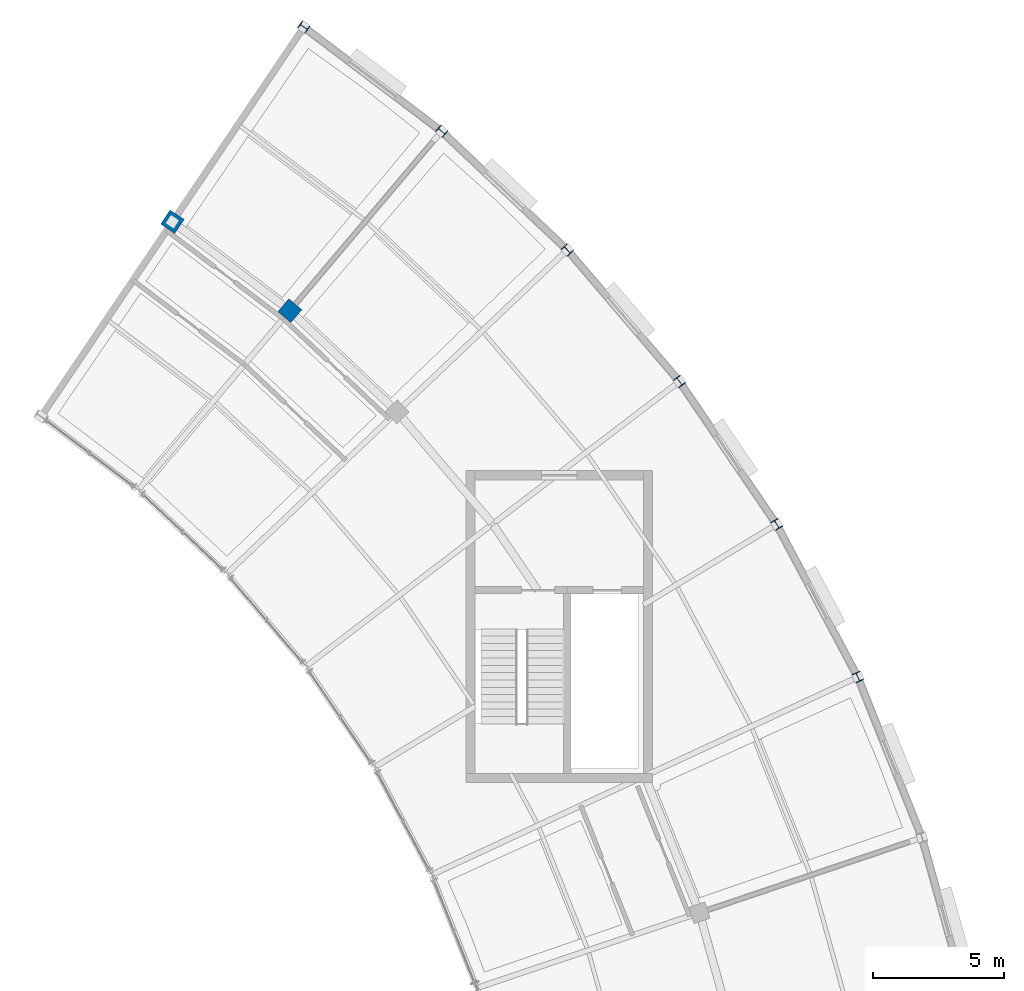
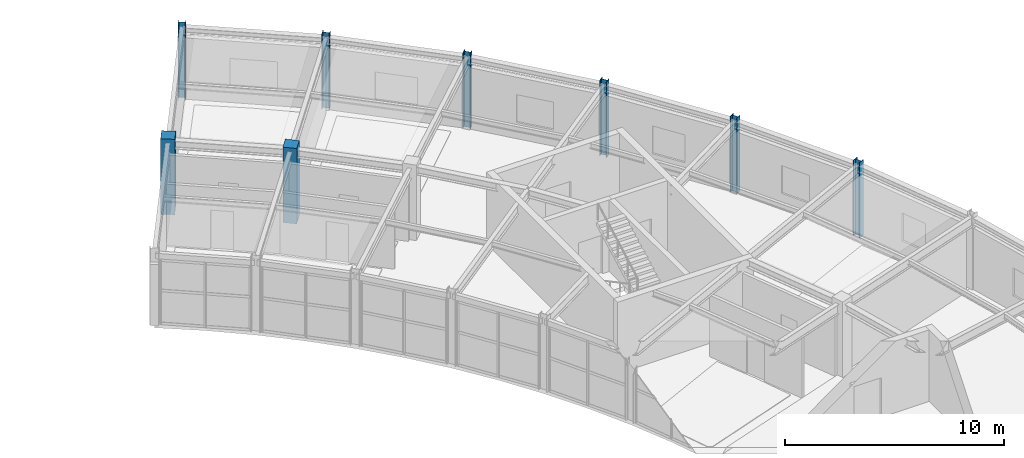
# One storey, part 4 of 29: 8 columns.
"""IFC4 building model written with IfcOpenShell, lengths in metres."""

from ifc_helpers import new_model, si_unit, direction, frame, origin, origin_2d, place, context, subcontext, project, spatial, rectangle, i_section, extrude, material, material_profile, profile_set, type_object, element, save


model = new_model("IFC4")

# Units and contexts
model_context = context("Model", 3, precision=1e-05, world=origin(), true_north=direction((0.0, 1.0)))
body_context = subcontext(model_context, "Body", "Model", "MODEL_VIEW")
ifc_project = project(units=[si_unit("LENGTHUNIT", "METRE"), si_unit("AREAUNIT", "SQUARE_METRE"), si_unit("VOLUMEUNIT", "CUBIC_METRE"), si_unit("PLANEANGLEUNIT", "RADIAN"), si_unit("MASSUNIT", "GRAM", prefix="KILO")], contexts=[model_context])

# Site, building, storey
site_placement = place(None, origin())
site = spatial("IfcSite", under=ifc_project, at=site_placement, CompositionType="ELEMENT")
building_placement = place(site_placement, origin())
building = spatial("IfcBuilding", under=site, at=building_placement, Name="Tarnveldt Headland Concert Hall", CompositionType="ELEMENT")
storey_placement = place(building_placement, frame((0.0, 0.0, 18.60009765625)))
storey = spatial("IfcBuildingStorey", under=building, at=storey_placement, Name="L04", CompositionType="ELEMENT", Elevation=18.60009765625)

# Columns
ifc_material_1 = material(Name="Concrete C40/50", Category="concrete")
ifc_material_profile_1 = material_profile(ifc_material_1, rectangle(XDim=0.64990234375, YDim=0.64990234375, at=origin_2d()), Name="RC 650x650", Category="concrete")
ifc_profile_set_1 = profile_set([ifc_material_profile_1], Name="Concrete C40/50")
column_type_1 = type_object("IfcColumnType", Name="CC-650", PredefinedType="COLUMN", material=ifc_profile_set_1)
for number, where, z_axis, x_axis, name in (
    (1, (151.0791015625, 99.704345703125, 0.0), (0.0, 0.0, 1.0), (0.645724263505, 0.763570674869, 0.0), "Column V3C17MD L04"),
    (2, (146.577880859375, 103.110107421875, 0.0), (0.0, 0.0, 1.0), (0.559192903471, 0.829037572555, 0.0), "Column V3C18MD L04"),
):
    element("IfcColumn", number, at=place(storey_placement, frame(where, z_axis=z_axis, x_axis=x_axis)), inside=storey, type_object=column_type_1, Name=name, PredefinedType="COLUMN", context=body_context, shape_type="SweptSolid", body=[
        extrude(rectangle(XDim=0.64990234375, YDim=0.64990234375, at=origin_2d()), origin(), (0.0, 0.0, 1.0), 4.199951171875),
    ])
ifc_material_2 = material(Name="Steel S355", Category="steel")
ifc_material_profile_2 = material_profile(ifc_material_2, i_section(OverallWidth=0.300048828125, OverallDepth=0.360107421875, WebThickness=0.012451171875, FlangeThickness=0.0224609375, FilletRadius=0.027099609375, at=origin_2d()), Name="HEB360", Category="steel")
ifc_profile_set_2 = profile_set([ifc_material_profile_2], Name="Steel S355")
column_type_2 = type_object("IfcColumnType", Name="SC-HEB360", PredefinedType="COLUMN", material=ifc_profile_set_2)
for number, where, z_axis, x_axis, name in (
    (3, (172.834716796875, 85.672607421875, 0.0), (0.0, 0.0, 1.0), (0.907117485088, 0.42087749791, 0.0), "Column V3C13OUT L04"),
    (4, (169.726318359375, 91.518798828125, 0.0), (0.0, 0.0, 1.0), (0.856176919486, 0.516682767798, 0.0), "Column V3C14OUT L04"),
    (5, (166.00244140625, 96.993408203125, 0.0), (0.0, 0.0, 1.0), (0.795156077043, 0.60640482612, 0.0), "Column V3C15OUT L04"),
    (6, (161.70703125, 102.032470703125, 0.0), (0.0, 0.0, 1.0), (0.724653130187, 0.689113808387, 0.0), "Column V3C16OUT L04"),
    (7, (156.89111328125, 106.576416015625, 0.0), (0.0, 0.0, 1.0), (0.645724263505, 0.763570674869, 0.0), "Column V3C17OUT L04"),
    (8, (151.61083984375, 110.5712890625, 0.0), (0.0, 0.0, 1.0), (0.559192903471, 0.829037572555, 0.0), "Column V3C18OUT L04"),
):
    element("IfcColumn", number, at=place(storey_placement, frame(where, z_axis=z_axis, x_axis=x_axis)), inside=storey, type_object=column_type_2, Name=name, PredefinedType="COLUMN", context=body_context, shape_type="SweptSolid", body=[
        extrude(i_section(OverallWidth=0.300048828125, OverallDepth=0.360107421875, WebThickness=0.012451171875, FlangeThickness=0.0224609375, FilletRadius=0.027099609375, at=origin_2d()), origin(), (0.0, 0.0, 1.0), 4.199951171875),
    ])

save(model, "model.ifc")
